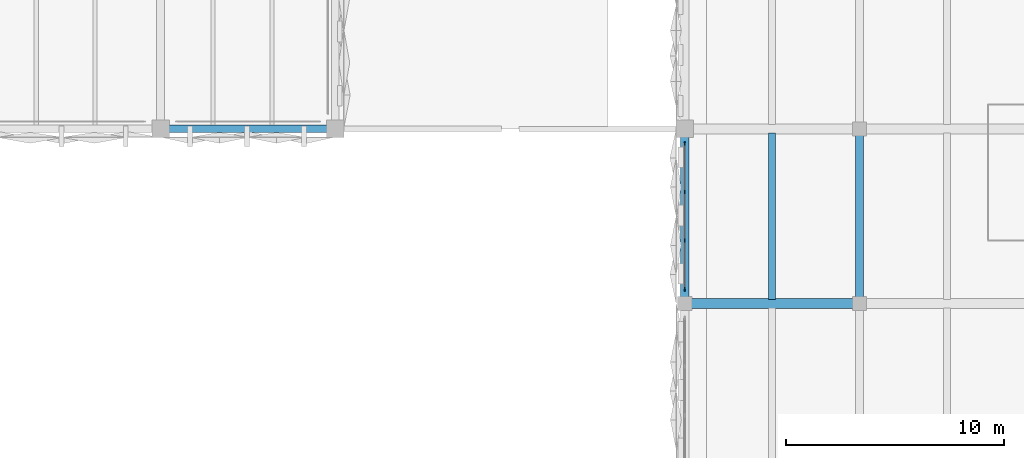
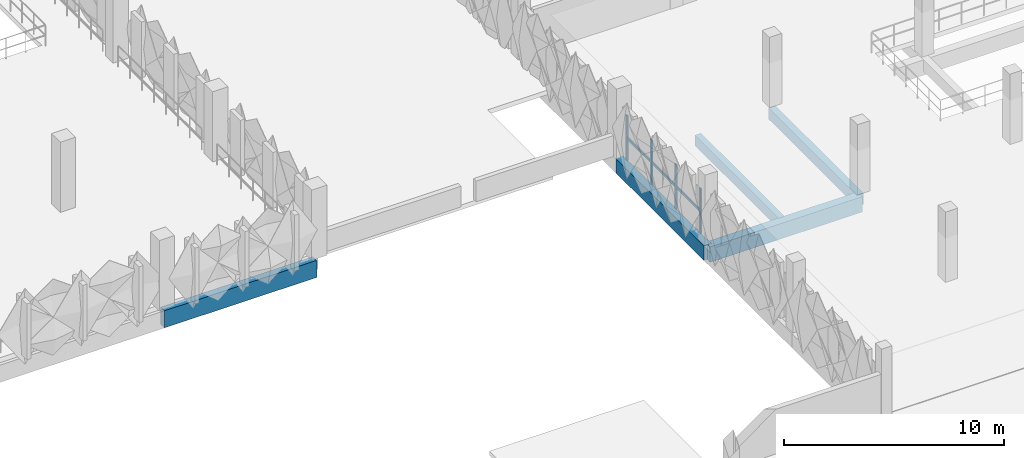
# One storey, part 29 of 96: 5 beams, 5 members, 1 element without a shape of its own.
"""IFC4 building model written with IfcOpenShell, lengths in metres."""

from ifc_helpers import new_model, si_unit, derived_unit, direction, frame, origin, origin_2d, place, context, subcontext, project, spatial, rectangle, extrude, material, layer, layer_set, material_profile, profile_set, type_object, element, aggregate, save


model = new_model("IFC4")

# Units and contexts
model_context = context("Model", 3, precision=1e-05, world=origin(), true_north=direction((0.0, 1.0)))
body_context = subcontext(model_context, "Body", "Model", "MODEL_VIEW")
ifc_project = project(units=[si_unit("LENGTHUNIT", "METRE"), si_unit("AREAUNIT", "SQUARE_METRE"), si_unit("VOLUMEUNIT", "CUBIC_METRE"), si_unit("PLANEANGLEUNIT", "RADIAN"), si_unit("MASSUNIT", "GRAM", prefix="KILO"), si_unit("THERMODYNAMICTEMPERATUREUNIT", "KELVIN"), derived_unit("THERMALTRANSMITTANCEUNIT", [(si_unit("POWERUNIT", "WATT"), 1), (si_unit("AREAUNIT", "SQUARE_METRE"), -1), (si_unit("THERMODYNAMICTEMPERATUREUNIT", "KELVIN"), -1)])], contexts=[model_context])

# Site, building, storey
site_placement = place(None, origin())
site = spatial("IfcSite", under=ifc_project, at=site_placement, CompositionType="ELEMENT")
building_placement = place(site_placement, origin())
building = spatial("IfcBuilding", under=site, at=building_placement, Name="Haiyu Intermodal Mobility Hub", CompositionType="ELEMENT")
storey_placement = place(building_placement, frame((0.0, 0.0, 9.5)))
storey = spatial("IfcBuildingStorey", under=building, at=storey_placement, Name="L02", CompositionType="ELEMENT", Elevation=9.5)

# Beams
ifc_material_1 = material(Name="Concrete C40", Category="concrete")
ifc_material_profile_1 = material_profile(ifc_material_1, rectangle(XDim=0.449951171875, YDim=0.85009765625, at=origin_2d()), Name="RCB450x850")
ifc_profile_set_1 = profile_set([ifc_material_profile_1], Name="Concrete C40")
beam_type_1 = type_object("IfcBeamType", Name="BM-CB02", PredefinedType="BEAM", material=ifc_profile_set_1)
beam_1_placement = place(storey_placement, frame((162.0, 96.0, -0.68505859375), z_axis=(1.0, 0.0, 0.0), x_axis=(0.0, 1.0, 0.0)))
element("IfcBeam", 1, at=beam_1_placement, inside=storey, type_object=beam_type_1, Name="BM-V6G-L02-013", PredefinedType="BEAM", context=body_context, shape_type="SweptSolid", body=[
    extrude(rectangle(XDim=0.449951171875, YDim=0.85009765625, at=origin_2d()), origin(), (0.0, 0.0, 1.0), 8.0),
])
ifc_material_profile_2 = material_profile(ifc_material_1, rectangle(XDim=0.39990234375, YDim=0.800048828125, at=origin_2d()), Name="RCB400x800")
ifc_profile_set_2 = profile_set([ifc_material_profile_2], Name="Concrete C40")
beam_type_2 = type_object("IfcBeamType", Name="BM-CB05", PredefinedType="BEAM", material=ifc_profile_set_2)
beam_2_placement = place(storey_placement, frame((162.0, 96.0, -0.659912109375), z_axis=(0.0, 1.0, 0.0), x_axis=(-1.0, 0.0, 0.0)))
element("IfcBeam", 2, at=beam_2_placement, inside=storey, type_object=beam_type_2, Name="BM-V6T-L02-003", PredefinedType="BEAM", context=body_context, shape_type="SweptSolid", body=[
    extrude(rectangle(XDim=0.39990234375, YDim=0.800048828125, at=origin_2d()), origin(), (0.0, 0.0, 1.0), 8.0),
])
ifc_material_profile_3 = material_profile(ifc_material_1, rectangle(XDim=0.360107421875, YDim=0.6201171875, at=origin_2d()), Name="B360x620")
ifc_profile_set_3 = profile_set([ifc_material_profile_3], Name="Concrete C40")
beam_type_3 = type_object("IfcBeamType", Name="BM-CB16", PredefinedType="BEAM", material=ifc_profile_set_3)
beam_3_placement = place(storey_placement, frame((170.0, 96.0, -0.570068359375), z_axis=(0.0, 1.0, 0.0), x_axis=(-1.0, 0.0, 0.0)))
element("IfcBeam", 3, at=beam_3_placement, inside=storey, type_object=beam_type_3, Name="BM-V6T-L02-011", PredefinedType="BEAM", context=body_context, shape_type="SweptSolid", body=[
    extrude(rectangle(XDim=0.360107421875, YDim=0.6201171875, at=origin_2d()), origin(), (0.0, 0.0, 1.0), 8.0),
])
ifc_material_profile_4 = material_profile(ifc_material_1, rectangle(XDim=0.320068359375, YDim=0.580078125, at=origin_2d()), Name="B320x580")
ifc_profile_set_4 = profile_set([ifc_material_profile_4], Name="Concrete C40")
beam_type_4 = type_object("IfcBeamType", Name="BM-CB17", PredefinedType="JOIST", material=ifc_profile_set_4)
beam_4_placement = place(storey_placement, frame((166.0, 96.195068359375, -0.550048828125), z_axis=(0.0, 1.0, 0.0), x_axis=(-1.0, 0.0, 0.0)))
element("IfcBeam", 4, at=beam_4_placement, inside=storey, type_object=beam_type_4, Name="BM-V6J-L02-003", PredefinedType="JOIST", context=body_context, shape_type="SweptSolid", body=[
    extrude(rectangle(XDim=0.320068359375, YDim=0.580078125, at=origin_2d()), origin(), (0.0, 0.0, 1.0), 7.60986328125),
])
ifc_material_2 = material(Name="Precast concrete C40", Category="concrete")
ifc_material_profile_5 = material_profile(ifc_material_2, rectangle(XDim=0.35009765625, YDim=0.949951171875, at=origin_2d()), Name="PC350x950")
ifc_profile_set_5 = profile_set([ifc_material_profile_5], Name="Precast concrete C40")
beam_type_5 = type_object("IfcBeamType", Name="BM-SP01", PredefinedType="SPANDREL", material=ifc_profile_set_5)
beam_5_placement = place(storey_placement, frame((138.0, 104.0, -0.75), z_axis=(1.0, 0.0, 0.0), x_axis=(0.0, 1.0, 0.0)))
element("IfcBeam", 5, at=beam_5_placement, inside=storey, type_object=beam_type_5, Name="BM-V4G-L02-012", PredefinedType="SPANDREL", context=body_context, shape_type="SweptSolid", body=[
    extrude(rectangle(XDim=0.35009765625, YDim=0.949951171875, at=origin_2d()), origin(), (0.0, 0.0, 1.0), 8.0),
])

# Curtain wall, members
ifc_material_3 = material(Name="Low-e laminated insulating glass", Category="glass")
ifc_layer = layer(ifc_material_3, 0.2099609375)
ifc_layer_set = layer_set([ifc_layer], Name="Low-e laminated insulating glass")
curtain_wall_type = type_object("IfcCurtainWallType", Name="CW-CW04", PredefinedType="NOTDEFINED", material=ifc_layer_set)
curtain_wall_placement = place(storey_placement, origin())
curtain_wall = element("IfcCurtainWall", 6, at=curtain_wall_placement, inside=storey, type_object=curtain_wall_type, Name="Curtain Wall CW-V6W-L02-148", PredefinedType="NOTDEFINED")
ifc_material_4 = material(Name="Anodised aluminium 6063-T6", Category="aluminium")
ifc_material_profile_6 = material_profile(ifc_material_4, rectangle(XDim=0.06494140625, YDim=0.1650390625, at=origin_2d()), Name="ALU65x165")
ifc_profile_set_6 = profile_set([ifc_material_profile_6], Name="Anodised aluminium 6063-T6")
member_type_1 = type_object("IfcMemberType", Name="CWM-ML02", PredefinedType="MULLION", material=ifc_profile_set_6)
member_1_placement = place(storey_placement, frame((162.0, 103.340087890625, 0.0), z_axis=(0.0, 0.0, 1.0), x_axis=(1.0, 0.0, 0.0)))
member_1 = element("IfcMember", 7, at=member_1_placement, type_object=member_type_1, Name="CW-V6W-L02-148-ML01", PredefinedType="MULLION", context=body_context, shape_type="SweptSolid", body=[
    extrude(rectangle(XDim=0.06494140625, YDim=0.1650390625, at=origin_2d()), origin(), (0.0, 0.0, 1.0), 2.47998046875),
])
member_2_placement = place(storey_placement, frame((162.0, 101.113037109375, 0.0), z_axis=(0.0, 0.0, 1.0), x_axis=(1.0, 0.0, 0.0)))
member_2 = element("IfcMember", 8, at=member_2_placement, type_object=member_type_1, Name="CW-V6W-L02-148-ML02", PredefinedType="MULLION", context=body_context, shape_type="SweptSolid", body=[
    extrude(rectangle(XDim=0.06494140625, YDim=0.1650390625, at=origin_2d()), origin(), (0.0, 0.0, 1.0), 2.47998046875),
])
member_3_placement = place(storey_placement, frame((162.0, 98.886962890625, 0.0), z_axis=(0.0, 0.0, 1.0), x_axis=(1.0, 0.0, 0.0)))
member_3 = element("IfcMember", 9, at=member_3_placement, type_object=member_type_1, Name="CW-V6W-L02-148-ML03", PredefinedType="MULLION", context=body_context, shape_type="SweptSolid", body=[
    extrude(rectangle(XDim=0.06494140625, YDim=0.1650390625, at=origin_2d()), origin(), (0.0, 0.0, 1.0), 2.47998046875),
])
member_4_placement = place(storey_placement, frame((162.0, 96.659912109375, 0.0), z_axis=(0.0, 0.0, 1.0), x_axis=(1.0, 0.0, 0.0)))
member_4 = element("IfcMember", 10, at=member_4_placement, type_object=member_type_1, Name="CW-V6W-L02-148-ML04", PredefinedType="MULLION", context=body_context, shape_type="SweptSolid", body=[
    extrude(rectangle(XDim=0.06494140625, YDim=0.1650390625, at=origin_2d()), origin(), (0.0, 0.0, 1.0), 2.47998046875),
])
ifc_material_profile_7 = material_profile(ifc_material_4, rectangle(XDim=0.06494140625, YDim=0.135009765625, at=origin_2d()), Name="ALU65x135")
ifc_profile_set_7 = profile_set([ifc_material_profile_7], Name="Anodised aluminium 6063-T6")
member_type_2 = type_object("IfcMemberType", Name="CWM-TR02", PredefinedType="USERDEFINED", material=ifc_profile_set_7)
member_5_placement = place(storey_placement, frame((162.0, 103.3798828125, 1.239990234375), z_axis=(0.0, -1.0, 0.0), x_axis=(1.0, 0.0, 0.0)))
member_5 = element("IfcMember", 11, at=member_5_placement, type_object=member_type_2, Name="CW-V6W-L02-148-TR01", ObjectType="TRANSOM", PredefinedType="USERDEFINED", context=body_context, shape_type="SweptSolid", body=[
    extrude(rectangle(XDim=0.06494140625, YDim=0.135009765625, at=origin_2d()), origin(), (0.0, 0.0, 1.0), 6.759765625),
])
aggregate(curtain_wall, [member_1, member_2, member_3, member_4, member_5])

save(model, "model.ifc")
